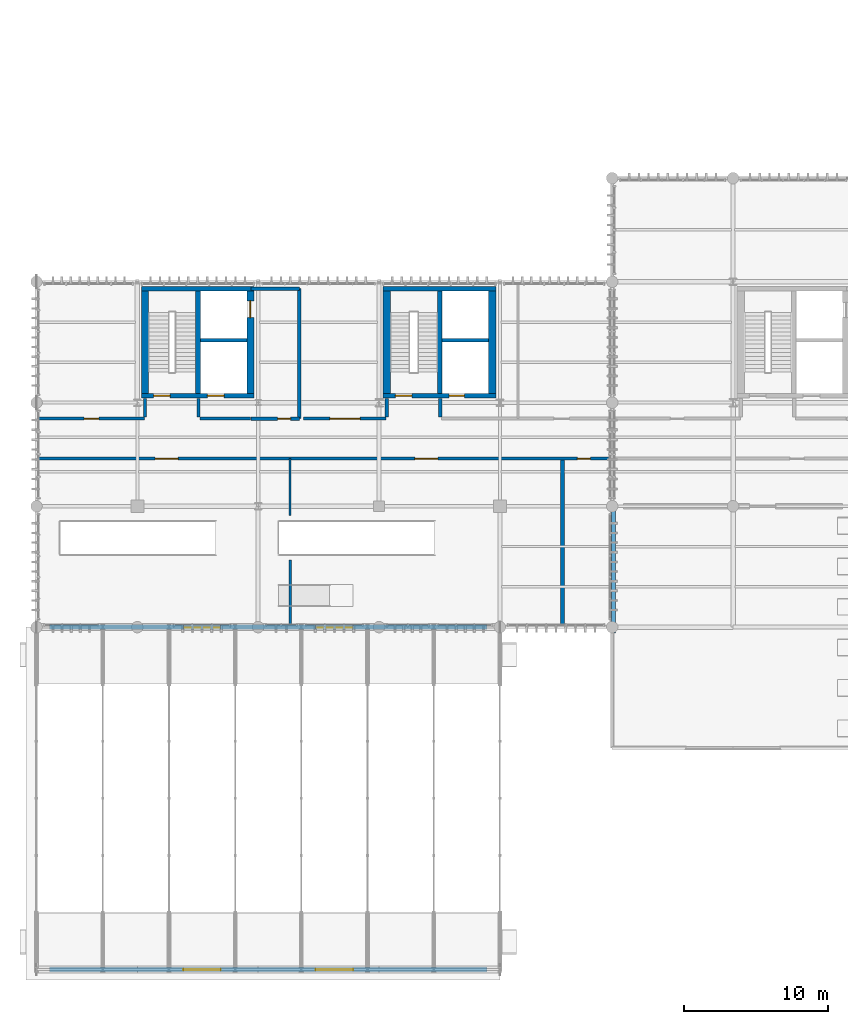
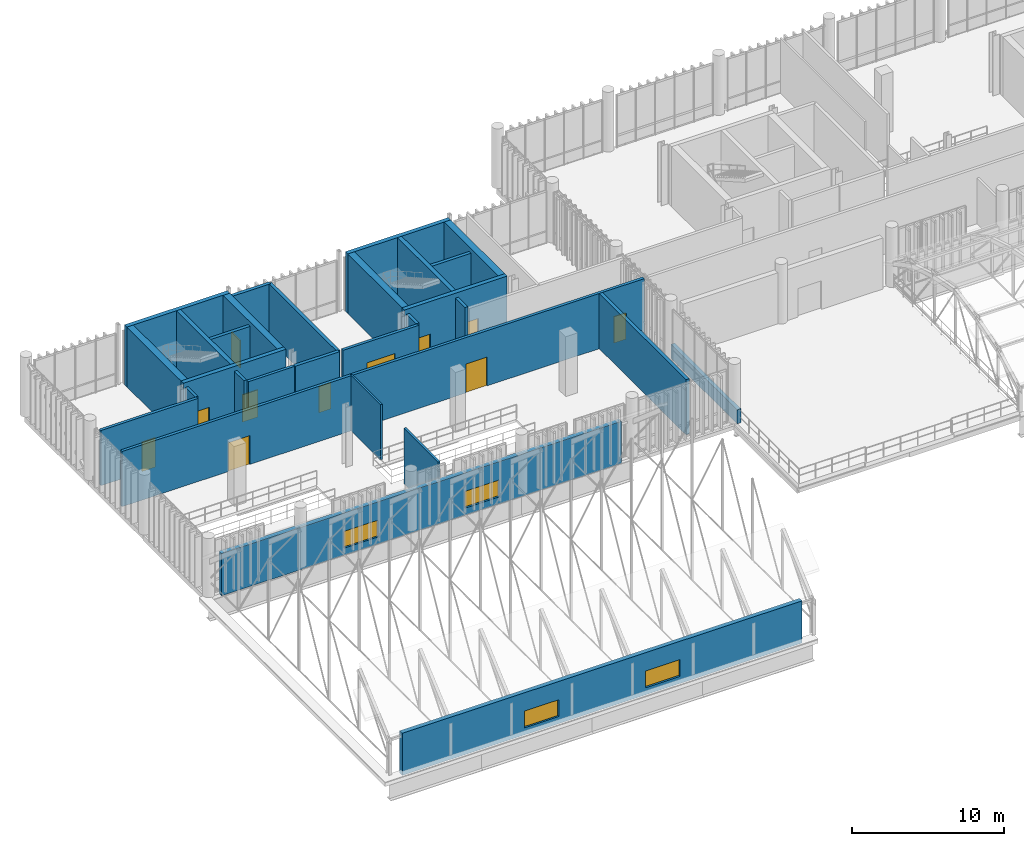
# One storey, part 91 of 109: 29 walls, 11 doors, 4 windows, 15 openings.
"""IFC4 building model written with IfcOpenShell, lengths in metres."""

import ifcopenshell
import ifcopenshell.guid

model = None  # the IFC model being written
_history = None  # IfcOwnerHistory: only IFC2X3 demands one
_inside = {}  # id of a spatial element -> (the spatial element, [elements in it])
_under = {}  # id of a project, library or spatial element -> (it, [spatial elements below it])
_declared = {}  # id of a project -> (the project, [libraries it declares])
_typed = {}  # id of a type object -> (the type object, [elements of that type])
_made_of = {}  # id of a material, layer set ... -> (it, [elements and type objects made of it])


def new_model(schema):
    """Start an empty IFC model of exactly this schema.

    Asked for "IFC4X3", IfcOpenShell would pick the latest addendum, in which some entities
    have other attributes; the version numbers below select the first issue.
    IFC2X3 requires an IfcOwnerHistory on every rooted entity: one is made here for all.
    """
    global model, _history
    if schema == "IFC4X3":
        model = ifcopenshell.file(schema_version=(4, 3, 0, 0))
    else:
        model = ifcopenshell.file(schema=schema)
    _inside.clear()
    _under.clear()
    _declared.clear()
    _typed.clear()
    _made_of.clear()
    _history = None
    if model.schema == "IFC2X3":
        org = make("IfcOrganization", Name="unknown")
        user = make(
            "IfcPersonAndOrganization",
            ThePerson=make("IfcPerson", FamilyName="unknown"),
            TheOrganization=org,
        )
        app = make(
            "IfcApplication",
            ApplicationDeveloper=org,
            Version="unknown",
            ApplicationFullName="unknown",
            ApplicationIdentifier="unknown",
        )
        _history = make(
            "IfcOwnerHistory",
            OwningUser=user,
            OwningApplication=app,
            ChangeAction="ADDED",
            CreationDate=0,
        )
    return model


def make(cls, **values):
    """One entity of the class cls with the attributes given. An attribute that is None is left unset."""
    return model.create_entity(
        cls, **{name: value for name, value in values.items() if value is not None}
    )


def rooted(cls, **values):
    """An entity with a GlobalId (a new one), such as an element, a storey or a relation."""
    return make(cls, GlobalId=ifcopenshell.guid.new(), OwnerHistory=_history, **values)


def si_unit(unit_type, name, prefix=None):
    """IfcSIUnit, for example si_unit("LENGTHUNIT", "METRE", prefix="MILLI")."""
    return make("IfcSIUnit", UnitType=unit_type, Prefix=prefix, Name=name)


def assignment(units):
    """IfcUnitAssignment: the units of a project."""
    return None if units is None else make("IfcUnitAssignment", Units=units)


def point(xyz):
    """IfcCartesianPoint."""
    return None if xyz is None else make("IfcCartesianPoint", Coordinates=xyz)


def direction(xyz):
    """IfcDirection."""
    return None if xyz is None else make("IfcDirection", DirectionRatios=xyz)


def frame(location, z_axis=None, x_axis=None):
    """IfcAxis2Placement3D, a coordinate frame: its origin and axes. An axis left out is left unset."""
    return make(
        "IfcAxis2Placement3D",
        Location=point(location),
        Axis=direction(z_axis),
        RefDirection=direction(x_axis),
    )


def frame_2d(location, x_axis=None):
    """IfcAxis2Placement2D, a coordinate frame in the plane: its origin and x axis."""
    return make(
        "IfcAxis2Placement2D", Location=point(location), RefDirection=direction(x_axis)
    )


def origin_with_axes():
    """The frame at (0, 0, 0) with the z axis (0, 0, 1) and the x axis (1, 0, 0) written out."""
    return frame((0.0, 0.0, 0.0), z_axis=(0.0, 0.0, 1.0), x_axis=(1.0, 0.0, 0.0))


def place(relative_to, where):
    """IfcLocalPlacement: puts the frame where relative to a parent placement (None: the world)."""
    return make(
        "IfcLocalPlacement", PlacementRelTo=relative_to, RelativePlacement=where
    )


def context(
    kind, dimensions, precision=None, world=None, true_north=None, identifier=None
):
    """IfcGeometricRepresentationContext, for example the 3D "Model" context."""
    return make(
        "IfcGeometricRepresentationContext",
        ContextIdentifier=identifier,
        ContextType=kind,
        CoordinateSpaceDimension=dimensions,
        Precision=precision,
        WorldCoordinateSystem=world,
        TrueNorth=true_north,
    )


def subcontext(parent, identifier, kind, view, scale=None):
    """IfcGeometricRepresentationSubContext, for example "Body" below "Model"."""
    return make(
        "IfcGeometricRepresentationSubContext",
        ContextIdentifier=identifier,
        ContextType=kind,
        ParentContext=parent,
        TargetScale=scale,
        TargetView=view,
    )


def project(units=None, contexts=None):
    """IfcProject with its units and contexts."""
    return rooted(
        "IfcProject",
        Name="project",
        RepresentationContexts=contexts,
        UnitsInContext=assignment(units),
    )


def spatial(cls, under=None, at=None, **own):
    """A site, building, storey or space (cls), placed at a placement, below another one or the project."""
    s = rooted(cls, ObjectPlacement=at, **own)
    if under is not None:
        _under.setdefault(under.id(), (under, []))[1].append(s)
    return s


def profile(cls, at=None, kind="AREA", **sizes):
    """A parametric profile (cls). Its sizes go by their IFC names, for example OverallWidth=200.0."""
    return make(cls, ProfileType=kind, Position=at, **sizes)


def rectangle(**sizes):
    """IfcRectangleProfileDef."""
    return profile("IfcRectangleProfileDef", **sizes)


def extrude(swept, where, along, depth):
    """IfcExtrudedAreaSolid: the profile swept, set in the frame where, extruded along a direction by depth."""
    return make(
        "IfcExtrudedAreaSolid",
        SweptArea=swept,
        Position=where,
        ExtrudedDirection=direction(along),
        Depth=depth,
    )


def shape(context_of_items, identifier, shape_type, items):
    """IfcShapeRepresentation: the items that make up one representation, for example the "Body"."""
    return make(
        "IfcShapeRepresentation",
        ContextOfItems=context_of_items,
        RepresentationIdentifier=identifier,
        RepresentationType=shape_type,
        Items=items,
    )


def material(Name=None, Category=None):
    """IfcMaterial."""
    return make("IfcMaterial", Name=Name, Category=Category)


def layer(
    of_material, thickness, ventilated=None, Name=None, Category=None, Priority=None
):
    """IfcMaterialLayer: one layer of a wall or slab, of a material (None: an air gap)."""
    return make(
        "IfcMaterialLayer",
        Material=of_material,
        LayerThickness=thickness,
        IsVentilated=ventilated,
        Name=Name,
        Category=Category,
        Priority=Priority,
    )


def layer_set(layers, Name=None):
    """IfcMaterialLayerSet."""
    return make("IfcMaterialLayerSet", MaterialLayers=layers, LayerSetName=Name)


def made_of(thing, what):
    """Note that an element or type object is made of a material, layer set ...; save() writes the relation."""
    if what is not None:
        _made_of.setdefault(what.id(), (what, []))[1].append(thing)
    return thing


def type_object(cls, material=None, **own):
    """A type object (cls), such as IfcWallType, which elements share."""
    return made_of(rooted(cls, **own), material)


def element(
    cls,
    number,
    at=None,
    inside=None,
    cuts=None,
    type_object=None,
    material=None,
    context=None,
    identifier="Body",
    shape_type=None,
    held_by="IfcProductDefinitionShape",
    body=None,
    shapes=None,
    **own,
):
    """One element of the class cls, such as IfcWall. Its Tag is "e" and its number.

    at: its placement. inside: the storey or other place that contains it. cuts: it is an
    opening in that element (IfcRelVoidsElement). A single representation is given by context,
    identifier, shape_type and body (its items); several are given by shapes. held_by: the class
    of the entity that holds the representations. save() writes the other relations.
    """
    e = rooted(cls, Tag="e%d" % number, ObjectPlacement=at, **own)
    if body is not None:
        shapes = [shape(context, identifier, shape_type, body)]
    if shapes is not None:
        e.Representation = make(held_by, Representations=shapes)
    if inside is not None:
        _inside.setdefault(inside.id(), (inside, []))[1].append(e)
    if cuts is not None:
        rooted(
            "IfcRelVoidsElement", RelatingBuildingElement=cuts, RelatedOpeningElement=e
        )
    if type_object is not None:
        _typed.setdefault(type_object.id(), (type_object, []))[1].append(e)
    return made_of(e, material)


def fill(opening, filler):
    """IfcRelFillsElement: the door or window that sits in an opening."""
    return rooted(
        "IfcRelFillsElement",
        RelatingOpeningElement=opening,
        RelatedBuildingElement=filler,
    )


def aggregate(whole, parts):
    """IfcRelAggregates: a whole, such as a stair, and the parts it consists of."""
    return rooted("IfcRelAggregates", RelatingObject=whole, RelatedObjects=parts)


def save(model, path):
    """Write the relations noted so far, then the file.

    IfcRelAggregates (storeys below a building ...), IfcRelContainedInSpatialStructure (elements
    in a storey), IfcRelDefinesByType, IfcRelAssociatesMaterial and IfcRelDeclares: one each for
    every whole, place, type object, material and project.
    """
    for whole, parts in _under.values():
        aggregate(whole, parts)
    for where, things in _inside.values():
        rooted(
            "IfcRelContainedInSpatialStructure",
            RelatedElements=things,
            RelatingStructure=where,
        )
    for kind, things in _typed.values():
        rooted("IfcRelDefinesByType", RelatedObjects=things, RelatingType=kind)
    for what, things in _made_of.values():
        rooted("IfcRelAssociatesMaterial", RelatedObjects=things, RelatingMaterial=what)
    for by, libraries in _declared.values():
        rooted("IfcRelDeclares", RelatingContext=by, RelatedDefinitions=libraries)
    model.write(path)


model = new_model("IFC4")

# Units and contexts
model_context = context("Model", 3, precision=1e-05, world=origin_with_axes(), true_north=direction((0.0, 1.0)))
body_context = subcontext(model_context, "Body", "Model", "MODEL_VIEW")
ifc_project = project(units=[si_unit("LENGTHUNIT", "METRE"), si_unit("AREAUNIT", "SQUARE_METRE"), si_unit("VOLUMEUNIT", "CUBIC_METRE"), si_unit("PLANEANGLEUNIT", "RADIAN"), si_unit("MASSUNIT", "GRAM", prefix="KILO"), si_unit("THERMODYNAMICTEMPERATUREUNIT", "KELVIN")], contexts=[model_context])

# Site, building, storey
site_placement = place(None, origin_with_axes())
site = spatial("IfcSite", under=ifc_project, at=site_placement, CompositionType="ELEMENT")
building_placement = place(site_placement, origin_with_axes())
building = spatial("IfcBuilding", under=site, at=building_placement, Name="Montbau Bow Law Courts", CompositionType="ELEMENT")
storey_placement = place(building_placement, frame((0.0, 0.0, 10.8), z_axis=(0.0, 0.0, 1.0), x_axis=(1.0, 0.0, 0.0)))
storey = spatial("IfcBuildingStorey", under=building, at=storey_placement, Name="L02", CompositionType="ELEMENT", Elevation=10.8)

# Wall, opening, door
ifc_material_1 = material(Name="Concrete CSA A23.1 f'c 45 MPa", Category="concrete")
ifc_layer_1 = layer(ifc_material_1, 0.5, Name="Shear Wall", Category="concrete")
ifc_layer_set_1 = layer_set([ifc_layer_1], Name="Concrete CSA A23.1 f'c 45 MPa")
wall_type_1 = type_object("IfcWallType", Name="W-COR-01", PredefinedType="SHEAR", material=ifc_layer_set_1)
wall_1_placement = place(None, frame((21.66, 46.84, 10.8), z_axis=(0.0, 0.0, 1.0), x_axis=(0.0, 1.0, 0.0)))
wall_1 = element("IfcWall", 1, at=wall_1_placement, inside=storey, type_object=wall_type_1, Name="WC-L02-0030:wal_0097", PredefinedType="SHEAR", context=body_context, shape_type="SweptSolid", body=[
    extrude(rectangle(XDim=7.119999999999997, YDim=0.5, at=frame_2d((3.56, 0.0), x_axis=(1.0, 0.0))), origin_with_axes(), (0.0, 0.0, 1.0), 4.8),
])
opening_1_placement = place(None, frame((21.66, 52.69, 10.8), z_axis=(0.0, 0.0, 1.0), x_axis=(0.0, 1.0, 0.0)))
opening_1 = element("IfcOpeningElement", 2, at=opening_1_placement, cuts=wall_1, Name="OP-LD-L02-EL-P2", PredefinedType="OPENING", context=body_context, shape_type="SweptSolid", body=[
    extrude(rectangle(XDim=1.16, YDim=2.2, at=frame_2d((0.0, 1.1), x_axis=(1.0, 0.0))), frame((0.0, 0.26, 0.0), z_axis=(0.0, -1.0, 0.0), x_axis=(1.0, 0.0, 0.0)), (0.0, 0.0, 1.0), 0.52),
])
ifc_material_2 = material(Name="Brushed Stainless Steel Elevator Landing Door", Category="steel")
door_type_1 = type_object("IfcDoorType", Name="LD-PUB-01", OperationType="NOTDEFINED", ParameterTakesPrecedence=False, PredefinedType="DOOR", material=ifc_material_2)
door_1_placement = place(None, frame((21.66, 52.69, 10.8), z_axis=(0.0, 0.0, 1.0), x_axis=(0.0, 1.0, 0.0)))
door_1 = element("IfcDoor", 3, at=door_1_placement, inside=storey, type_object=door_type_1, Name="LD-L02-EL-P2:dor_0051", OperationType="SLIDING_TO_LEFT", OverallHeight=2.2, OverallWidth=1.16, PredefinedType="DOOR", context=body_context, shape_type="SweptSolid", body=[
    extrude(rectangle(XDim=1.16, YDim=2.2, at=frame_2d((0.0, 1.1), x_axis=(1.0, 0.0))), frame((0.0, 0.04, 0.0), z_axis=(0.0, -1.0, 0.0), x_axis=(1.0, 0.0, 0.0)), (0.0, 0.0, 1.0), 0.08),
])
fill(opening_1, door_1)

# Walls
for number, where, z_axis, x_axis, name in (
    (4, (14.34, 53.96, 10.8), (0.0, 0.0, 1.0), (0.0, -1.0, 0.0), "WC-L02-0031:wal_0098"),
    (5, (38.46, 46.84, 10.8), (0.0, 0.0, 1.0), (0.0, 1.0, 0.0), "WC-L02-0102:wal_0169"),
    (6, (31.14, 53.96, 10.8), (0.0, 0.0, 1.0), (0.0, -1.0, 0.0), "WC-L02-0103:wal_0170"),
):
    element("IfcWall", number, at=place(None, frame(where, z_axis=z_axis, x_axis=x_axis)), inside=storey, type_object=wall_type_1, Name=name, PredefinedType="SHEAR", context=body_context, shape_type="SweptSolid", body=[
        extrude(rectangle(XDim=7.119999999999997, YDim=0.5, at=frame_2d((3.56, 0.0), x_axis=(1.0, 0.0))), origin_with_axes(), (0.0, 0.0, 1.0), 4.8),
    ])

# Wall, openings, doors
ifc_layer_2 = layer(ifc_material_1, 0.32, Name="Shear Wall", Category="concrete")
ifc_layer_set_2 = layer_set([ifc_layer_2], Name="Concrete CSA A23.1 f'c 45 MPa")
wall_type_2 = type_object("IfcWallType", Name="W-COR-05", PredefinedType="SHEAR", material=ifc_layer_set_2)
wall_2_placement = place(None, frame((14.09, 46.68, 10.8), z_axis=(0.0, 0.0, 1.0), x_axis=(1.0, 0.0, 0.0)))
wall_2 = element("IfcWall", 7, at=wall_2_placement, inside=storey, type_object=wall_type_2, Name="WC-L02-0028:wal_0095", PredefinedType="SHEAR", context=body_context, shape_type="SweptSolid", body=[
    extrude(rectangle(XDim=7.82, YDim=0.32, at=frame_2d((3.91, 0.0), x_axis=(1.0, 0.0))), origin_with_axes(), (0.0, 0.0, 1.0), 4.8),
])
opening_2_placement = place(None, frame((15.51, 46.68, 10.8), z_axis=(0.0, 0.0, 1.0), x_axis=(1.0, 0.0, 0.0)))
opening_2 = element("IfcOpeningElement", 8, at=opening_2_placement, cuts=wall_2, Name="OP-D-L02-ST-P1", PredefinedType="OPENING", context=body_context, shape_type="SweptSolid", body=[
    extrude(rectangle(XDim=1.14, YDim=2.18, at=frame_2d((0.0, 1.09), x_axis=(1.0, 0.0))), frame((0.0, 0.17, 0.0), z_axis=(0.0, -1.0, 0.0), x_axis=(1.0, 0.0, 0.0)), (0.0, 0.0, 1.0), 0.34),
])
opening_3_placement = place(None, frame((19.25, 46.68, 10.8), z_axis=(0.0, 0.0, 1.0), x_axis=(1.0, 0.0, 0.0)))
opening_3 = element("IfcOpeningElement", 9, at=opening_3_placement, cuts=wall_2, Name="OP-LD-L02-EL-P1", PredefinedType="OPENING", context=body_context, shape_type="SweptSolid", body=[
    extrude(rectangle(XDim=1.16, YDim=2.2, at=frame_2d((0.0, 1.1), x_axis=(1.0, 0.0))), frame((0.0, 0.17, 0.0), z_axis=(0.0, -1.0, 0.0), x_axis=(1.0, 0.0, 0.0)), (0.0, 0.0, 1.0), 0.34),
])
ifc_material_3 = material(Name="1.5 h Fire-Rated Hollow-Metal Exit Stair Door", Category="steel")
door_type_2 = type_object("IfcDoorType", Name="D-ST-01", OperationType="NOTDEFINED", ParameterTakesPrecedence=False, PredefinedType="DOOR", material=ifc_material_3)
door_2_placement = place(None, frame((15.51, 46.68, 10.8), z_axis=(0.0, 0.0, 1.0), x_axis=(-1.0, 0.0, 0.0)))
door_2 = element("IfcDoor", 10, at=door_2_placement, inside=storey, type_object=door_type_2, Name="D-L02-ST-P1:dor_0049", OperationType="SINGLE_SWING_RIGHT", OverallHeight=2.18, OverallWidth=1.14, PredefinedType="DOOR", context=body_context, shape_type="SweptSolid", body=[
    extrude(rectangle(XDim=1.14, YDim=2.18, at=frame_2d((0.0, 1.09), x_axis=(1.0, 0.0))), frame((0.0, 0.04, 0.0), z_axis=(0.0, -1.0, 0.0), x_axis=(1.0, 0.0, 0.0)), (0.0, 0.0, 1.0), 0.08),
])
fill(opening_2, door_2)
door_3_placement = place(None, frame((19.25, 46.68, 10.8), z_axis=(0.0, 0.0, 1.0), x_axis=(-1.0, 0.0, 0.0)))
door_3 = element("IfcDoor", 11, at=door_3_placement, inside=storey, type_object=door_type_1, Name="LD-L02-EL-P1:dor_0050", OperationType="SLIDING_TO_LEFT", OverallHeight=2.2, OverallWidth=1.16, PredefinedType="DOOR", context=body_context, shape_type="SweptSolid", body=[
    extrude(rectangle(XDim=1.16, YDim=2.2, at=frame_2d((0.0, 1.1), x_axis=(1.0, 0.0))), frame((0.0, 0.04, 0.0), z_axis=(0.0, -1.0, 0.0), x_axis=(1.0, 0.0, 0.0)), (0.0, 0.0, 1.0), 0.08),
])
fill(opening_3, door_3)

# Walls
wall_3_placement = place(None, frame((21.91, 54.12, 10.8), z_axis=(0.0, 0.0, 1.0), x_axis=(-1.0, 0.0, 0.0)))
element("IfcWall", 12, at=wall_3_placement, inside=storey, type_object=wall_type_2, Name="WC-L02-0029:wal_0096", PredefinedType="SHEAR", context=body_context, shape_type="SweptSolid", body=[
    extrude(rectangle(XDim=7.82, YDim=0.32, at=frame_2d((3.91, 0.0), x_axis=(1.0, 0.0))), origin_with_axes(), (0.0, 0.0, 1.0), 4.8),
])
wall_4_placement = place(None, frame((18.02, 46.84, 10.8), z_axis=(0.0, 0.0, 1.0), x_axis=(0.0, 1.0, 0.0)))
element("IfcWall", 13, at=wall_4_placement, inside=storey, type_object=wall_type_2, Name="WS-L02-0032:wal_0099", PredefinedType="SHEAR", context=body_context, shape_type="SweptSolid", body=[
    extrude(rectangle(XDim=7.119999999999997, YDim=0.32, at=frame_2d((3.56, 0.0), x_axis=(1.0, 0.0))), origin_with_axes(), (0.0, 0.0, 1.0), 4.8),
])

# Wall, openings, doors
wall_5_placement = place(None, frame((30.89, 46.68, 10.8), z_axis=(0.0, 0.0, 1.0), x_axis=(1.0, 0.0, 0.0)))
wall_5 = element("IfcWall", 14, at=wall_5_placement, inside=storey, type_object=wall_type_2, Name="WC-L02-0100:wal_0167", PredefinedType="SHEAR", context=body_context, shape_type="SweptSolid", body=[
    extrude(rectangle(XDim=7.82, YDim=0.32, at=frame_2d((3.91, 0.0), x_axis=(1.0, 0.0))), origin_with_axes(), (0.0, 0.0, 1.0), 4.8),
])
opening_4_placement = place(None, frame((32.31, 46.68, 10.8), z_axis=(0.0, 0.0, 1.0), x_axis=(1.0, 0.0, 0.0)))
opening_4 = element("IfcOpeningElement", 15, at=opening_4_placement, cuts=wall_5, Name="OP-D-L02-ST-J1", PredefinedType="OPENING", context=body_context, shape_type="SweptSolid", body=[
    extrude(rectangle(XDim=1.14, YDim=2.18, at=frame_2d((0.0, 1.09), x_axis=(1.0, 0.0))), frame((0.0, 0.17, 0.0), z_axis=(0.0, -1.0, 0.0), x_axis=(1.0, 0.0, 0.0)), (0.0, 0.0, 1.0), 0.34),
])
opening_5_placement = place(None, frame((36.0, 46.68, 10.8), z_axis=(0.0, 0.0, 1.0), x_axis=(1.0, 0.0, 0.0)))
opening_5 = element("IfcOpeningElement", 16, at=opening_5_placement, cuts=wall_5, Name="OP-LD-L02-EL-J1", PredefinedType="OPENING", context=body_context, shape_type="SweptSolid", body=[
    extrude(rectangle(XDim=1.06, YDim=2.16, at=frame_2d((0.0, 1.08), x_axis=(1.0, 0.0))), frame((0.0, 0.17, 0.0), z_axis=(0.0, -1.0, 0.0), x_axis=(1.0, 0.0, 0.0)), (0.0, 0.0, 1.0), 0.34),
])
door_4_placement = place(None, frame((32.31, 46.68, 10.8), z_axis=(0.0, 0.0, 1.0), x_axis=(-1.0, 0.0, 0.0)))
door_4 = element("IfcDoor", 17, at=door_4_placement, inside=storey, type_object=door_type_2, Name="D-L02-ST-J1:dor_0079", OperationType="SINGLE_SWING_RIGHT", OverallHeight=2.18, OverallWidth=1.14, PredefinedType="DOOR", context=body_context, shape_type="SweptSolid", body=[
    extrude(rectangle(XDim=1.14, YDim=2.18, at=frame_2d((0.0, 1.09), x_axis=(1.0, 0.0))), frame((0.0, 0.04, 0.0), z_axis=(0.0, -1.0, 0.0), x_axis=(1.0, 0.0, 0.0)), (0.0, 0.0, 1.0), 0.08),
])
fill(opening_4, door_4)
ifc_material_4 = material(Name="Bronze-Clad Judicial Elevator Landing Door", Category="steel")
door_type_3 = type_object("IfcDoorType", Name="LD-JUD-01", OperationType="NOTDEFINED", ParameterTakesPrecedence=False, PredefinedType="DOOR", material=ifc_material_4)
door_5_placement = place(None, frame((36.0, 46.68, 10.8), z_axis=(0.0, 0.0, 1.0), x_axis=(-1.0, 0.0, 0.0)))
door_5 = element("IfcDoor", 18, at=door_5_placement, inside=storey, type_object=door_type_3, Name="LD-L02-EL-J1:dor_0080", OperationType="SLIDING_TO_LEFT", OverallHeight=2.16, OverallWidth=1.06, PredefinedType="DOOR", context=body_context, shape_type="SweptSolid", body=[
    extrude(rectangle(XDim=1.06, YDim=2.16, at=frame_2d((0.0, 1.08), x_axis=(1.0, 0.0))), frame((0.0, 0.04, 0.0), z_axis=(0.0, -1.0, 0.0), x_axis=(1.0, 0.0, 0.0)), (0.0, 0.0, 1.0), 0.08),
])
fill(opening_5, door_5)

# Walls
wall_6_placement = place(None, frame((38.71, 54.12, 10.8), z_axis=(0.0, 0.0, 1.0), x_axis=(-1.0, 0.0, 0.0)))
element("IfcWall", 19, at=wall_6_placement, inside=storey, type_object=wall_type_2, Name="WC-L02-0101:wal_0168", PredefinedType="SHEAR", context=body_context, shape_type="SweptSolid", body=[
    extrude(rectangle(XDim=7.82, YDim=0.32, at=frame_2d((3.91, 0.0), x_axis=(1.0, 0.0))), origin_with_axes(), (0.0, 0.0, 1.0), 4.8),
])
wall_7_placement = place(None, frame((34.82, 46.84, 10.8), z_axis=(0.0, 0.0, 1.0), x_axis=(0.0, 1.0, 0.0)))
element("IfcWall", 20, at=wall_7_placement, inside=storey, type_object=wall_type_2, Name="WS-L02-0104:wal_0171", PredefinedType="SHEAR", context=body_context, shape_type="SweptSolid", body=[
    extrude(rectangle(XDim=7.119999999999997, YDim=0.32, at=frame_2d((3.56, 0.0), x_axis=(1.0, 0.0))), origin_with_axes(), (0.0, 0.0, 1.0), 4.8),
])

# Wall, openings, windows
ifc_material_5 = material(Name="Insulated Clerestory Curb Wall Assembly", Category="masonry")
ifc_layer_3 = layer(ifc_material_5, 0.34, Name="Solid Wall", Category="masonry")
ifc_layer_set_3 = layer_set([ifc_layer_3], Name="Insulated Clerestory Curb Wall Assembly")
wall_type_3 = type_object("IfcWallType", Name="W-EXT-06", PredefinedType="SOLIDWALL", material=ifc_layer_set_3)
wall_8_placement = place(None, frame((7.7, 6.8, 10.51), z_axis=(0.0, 0.0, 1.0), x_axis=(1.0, 0.0, 0.0)))
wall_8 = element("IfcWall", 21, at=wall_8_placement, inside=storey, type_object=wall_type_3, Name="WC-VLT-V1-S:wal_0057", PredefinedType="SOLIDWALL", context=body_context, shape_type="SweptSolid", body=[
    extrude(rectangle(XDim=30.400000000000002, YDim=0.34, at=frame_2d((15.2, 0.0), x_axis=(1.0, 0.0))), origin_with_axes(), (0.0, 0.0, 1.0), 3.39),
])
opening_6_placement = place(None, frame((18.3, 6.8, 11.08), z_axis=(0.0, 0.0, 1.0), x_axis=(1.0, 0.0, 0.0)))
opening_6 = element("IfcOpeningElement", 22, at=opening_6_placement, cuts=wall_8, Name="OP-SK-V1-01", PredefinedType="OPENING", context=body_context, shape_type="SweptSolid", body=[
    extrude(rectangle(XDim=2.6, YDim=1.35, at=frame_2d((0.0, 0.675), x_axis=(1.0, 0.0))), frame((0.0, 0.18, 0.0), z_axis=(0.0, -1.0, 0.0), x_axis=(1.0, 0.0, 0.0)), (0.0, 0.0, 1.0), 0.36),
])
opening_7_placement = place(None, frame((27.5, 6.8, 11.08), z_axis=(0.0, 0.0, 1.0), x_axis=(1.0, 0.0, 0.0)))
opening_7 = element("IfcOpeningElement", 23, at=opening_7_placement, cuts=wall_8, Name="OP-SK-V1-02", PredefinedType="OPENING", context=body_context, shape_type="SweptSolid", body=[
    extrude(rectangle(XDim=2.6, YDim=1.35, at=frame_2d((0.0, 0.675), x_axis=(1.0, 0.0))), frame((0.0, 0.18, 0.0), z_axis=(0.0, -1.0, 0.0), x_axis=(1.0, 0.0, 0.0)), (0.0, 0.0, 1.0), 0.36),
])
ifc_material_6 = material(Name="Triple-Glazed Barrel-Vault Clerestory Monitor Skylight", Category="glass")
window_type = type_object("IfcWindowType", Name="SK-VLT-01", ParameterTakesPrecedence=False, PartitioningType="SINGLE_PANEL", PredefinedType="SKYLIGHT", material=ifc_material_6)
window_1_placement = place(None, frame((18.3, 6.8, 11.08), z_axis=(0.0, 0.0, 1.0), x_axis=(1.0, 0.0, 0.0)))
window_1 = element("IfcWindow", 24, at=window_1_placement, inside=storey, type_object=window_type, Name="SK-V1-01:win_0107", OverallHeight=1.35, OverallWidth=2.6, PartitioningType="SINGLE_PANEL", PredefinedType="SKYLIGHT", context=body_context, shape_type="SweptSolid", body=[
    extrude(rectangle(XDim=2.6, YDim=1.35, at=frame_2d((0.0, 0.675), x_axis=(1.0, 0.0))), frame((0.0, 0.03, 0.0), z_axis=(0.0, -1.0, 0.0), x_axis=(1.0, 0.0, 0.0)), (0.0, 0.0, 1.0), 0.06),
])
fill(opening_6, window_1)
window_2_placement = place(None, frame((27.5, 6.8, 11.08), z_axis=(0.0, 0.0, 1.0), x_axis=(1.0, 0.0, 0.0)))
window_2 = element("IfcWindow", 25, at=window_2_placement, inside=storey, type_object=window_type, Name="SK-V1-02:win_0108", OverallHeight=1.35, OverallWidth=2.6, PartitioningType="SINGLE_PANEL", PredefinedType="SKYLIGHT", context=body_context, shape_type="SweptSolid", body=[
    extrude(rectangle(XDim=2.6, YDim=1.35, at=frame_2d((0.0, 0.675), x_axis=(1.0, 0.0))), frame((0.0, 0.03, 0.0), z_axis=(0.0, -1.0, 0.0), x_axis=(1.0, 0.0, 0.0)), (0.0, 0.0, 1.0), 0.06),
])
fill(opening_7, window_2)

wall_9_placement = place(None, frame((7.7, 30.6, 10.51), z_axis=(0.0, 0.0, 1.0), x_axis=(1.0, 0.0, 0.0)))
wall_9 = element("IfcWall", 26, at=wall_9_placement, inside=storey, type_object=wall_type_3, Name="WC-VLT-V1-N:wal_0058", PredefinedType="SOLIDWALL", context=body_context, shape_type="SweptSolid", body=[
    extrude(rectangle(XDim=30.400000000000002, YDim=0.34, at=frame_2d((15.2, 0.0), x_axis=(1.0, 0.0))), origin_with_axes(), (0.0, 0.0, 1.0), 3.39),
])
opening_8_placement = place(None, frame((18.3, 30.6, 11.08), z_axis=(0.0, 0.0, 1.0), x_axis=(1.0, 0.0, 0.0)))
opening_8 = element("IfcOpeningElement", 27, at=opening_8_placement, cuts=wall_9, Name="OP-SK-V1-03", PredefinedType="OPENING", context=body_context, shape_type="SweptSolid", body=[
    extrude(rectangle(XDim=2.6, YDim=1.35, at=frame_2d((0.0, 0.675), x_axis=(1.0, 0.0))), frame((0.0, 0.18, 0.0), z_axis=(0.0, -1.0, 0.0), x_axis=(1.0, 0.0, 0.0)), (0.0, 0.0, 1.0), 0.36),
])
opening_9_placement = place(None, frame((27.5, 30.6, 11.08), z_axis=(0.0, 0.0, 1.0), x_axis=(1.0, 0.0, 0.0)))
opening_9 = element("IfcOpeningElement", 28, at=opening_9_placement, cuts=wall_9, Name="OP-SK-V1-04", PredefinedType="OPENING", context=body_context, shape_type="SweptSolid", body=[
    extrude(rectangle(XDim=2.6, YDim=1.35, at=frame_2d((0.0, 0.675), x_axis=(1.0, 0.0))), frame((0.0, 0.18, 0.0), z_axis=(0.0, -1.0, 0.0), x_axis=(1.0, 0.0, 0.0)), (0.0, 0.0, 1.0), 0.36),
])
window_3_placement = place(None, frame((18.3, 30.6, 11.08), z_axis=(0.0, 0.0, 1.0), x_axis=(1.0, 0.0, 0.0)))
window_3 = element("IfcWindow", 29, at=window_3_placement, inside=storey, type_object=window_type, Name="SK-V1-03:win_0109", OverallHeight=1.35, OverallWidth=2.6, PartitioningType="SINGLE_PANEL", PredefinedType="SKYLIGHT", context=body_context, shape_type="SweptSolid", body=[
    extrude(rectangle(XDim=2.6, YDim=1.35, at=frame_2d((0.0, 0.675), x_axis=(1.0, 0.0))), frame((0.0, 0.03, 0.0), z_axis=(0.0, -1.0, 0.0), x_axis=(1.0, 0.0, 0.0)), (0.0, 0.0, 1.0), 0.06),
])
fill(opening_8, window_3)
window_4_placement = place(None, frame((27.5, 30.6, 11.08), z_axis=(0.0, 0.0, 1.0), x_axis=(1.0, 0.0, 0.0)))
window_4 = element("IfcWindow", 30, at=window_4_placement, inside=storey, type_object=window_type, Name="SK-V1-04:win_0110", OverallHeight=1.35, OverallWidth=2.6, PartitioningType="SINGLE_PANEL", PredefinedType="SKYLIGHT", context=body_context, shape_type="SweptSolid", body=[
    extrude(rectangle(XDim=2.6, YDim=1.35, at=frame_2d((0.0, 0.675), x_axis=(1.0, 0.0))), frame((0.0, 0.03, 0.0), z_axis=(0.0, -1.0, 0.0), x_axis=(1.0, 0.0, 0.0)), (0.0, 0.0, 1.0), 0.06),
])
fill(opening_9, window_4)

# Walls
ifc_material_7 = material(Name="Insulated Terracotta-Coping Terrace Parapet Assembly", Category="masonry")
ifc_layer_4 = layer(ifc_material_7, 0.28, Name="Parapet", Category="masonry")
ifc_layer_set_4 = layer_set([ifc_layer_4], Name="Insulated Terracotta-Coping Terrace Parapet Assembly")
wall_type_4 = type_object("IfcWallType", Name="W-PAR-02", PredefinedType="PARAPET", material=ifc_layer_set_4)
wall_10_placement = place(None, frame((46.9, 30.193, 10.8), z_axis=(0.0, 0.0, 1.0), x_axis=(0.0, 1.0, 0.0)))
element("IfcWall", 31, at=wall_10_placement, inside=storey, type_object=wall_type_4, Name="PAR-TER-L02-W-1:par_0001", PredefinedType="PARAPET", context=body_context, shape_type="SweptSolid", body=[
    extrude(rectangle(XDim=8.703, YDim=0.28, at=frame_2d((4.3515, 0.0), x_axis=(1.0, 0.0))), origin_with_axes(), (0.0, 0.0, 1.0), 1.12),
])
ifc_material_8 = material(Name="Double-Stud Acoustic Plumbing Chase Gypsum Assembly", Category="gypsum")
ifc_layer_5 = layer(ifc_material_8, 0.26, Name="Plumbing Wall", Category="gypsum")
ifc_layer_set_5 = layer_set([ifc_layer_5], Name="Double-Stud Acoustic Plumbing Chase Gypsum Assembly")
wall_type_5 = type_object("IfcWallType", Name="W-PLM-01", PredefinedType="PLUMBINGWALL", material=ifc_layer_set_5)
wall_11_placement = place(None, frame((43.34, 30.78, 10.8), z_axis=(0.0, 0.0, 1.0), x_axis=(0.0, 1.0, 0.0)))
element("IfcWall", 32, at=wall_11_placement, inside=storey, type_object=wall_type_5, Name="WD-L02-0737:wal_0804", PredefinedType="PLUMBINGWALL", context=body_context, shape_type="SweptSolid", body=[
    extrude(rectangle(XDim=11.43, YDim=0.26, at=frame_2d((5.715, 0.0), x_axis=(1.0, 0.0))), origin_with_axes(), (0.0, 0.0, 1.0), 4.44),
])
ifc_material_9 = material(Name="2 h Shaft and Exit-Passage Fire Separation Partition", Category="gypsum")
ifc_layer_6 = layer(ifc_material_9, 0.25, Name="Partition", Category="gypsum")
ifc_layer_set_6 = layer_set([ifc_layer_6], Name="2 h Shaft and Exit-Passage Fire Separation Partition")
wall_type_6 = type_object("IfcWallType", Name="W-PRT-01", PredefinedType="PARTITIONING", material=ifc_layer_set_6)
wall_12_placement = place(None, frame((18.18, 50.549, 10.8), z_axis=(0.0, 0.0, 1.0), x_axis=(1.0, 0.0, 0.0)))
element("IfcWall", 33, at=wall_12_placement, inside=storey, type_object=wall_type_6, Name="WS-L02-0033:wal_0100", PredefinedType="PARTITIONING", context=body_context, shape_type="SweptSolid", body=[
    extrude(rectangle(XDim=3.2300000000000004, YDim=0.25, at=frame_2d((1.615, 0.0), x_axis=(1.0, 0.0))), origin_with_axes(), (0.0, 0.0, 1.0), 4.44),
])
wall_13_placement = place(None, frame((25.06, 45.09, 10.8), z_axis=(0.0, 0.0, 1.0), x_axis=(0.0, 1.0, 0.0)))
element("IfcWall", 34, at=wall_13_placement, inside=storey, type_object=wall_type_6, Name="WEL-L02-0034:wal_0101", PredefinedType="PARTITIONING", context=body_context, shape_type="SweptSolid", body=[
    extrude(rectangle(XDim=9.029999999999994, YDim=0.25, at=frame_2d((4.515, 0.0), x_axis=(1.0, 0.0))), origin_with_axes(), (0.0, 0.0, 1.0), 4.44),
])
wall_14_placement = place(None, frame((21.7, 54.12, 10.8), z_axis=(0.0, 0.0, 1.0), x_axis=(1.0, 0.0, 0.0)))
element("IfcWall", 35, at=wall_14_placement, inside=storey, type_object=wall_type_6, Name="WEL-L02-0035:wal_0102", PredefinedType="PARTITIONING", context=body_context, shape_type="SweptSolid", body=[
    extrude(rectangle(XDim=3.3599999999999994, YDim=0.25, at=frame_2d((1.68, 0.0), x_axis=(1.0, 0.0))), origin_with_axes(), (0.0, 0.0, 1.0), 4.44),
])

# Wall, opening, door
wall_15_placement = place(None, frame((21.7, 45.09, 10.8), z_axis=(0.0, 0.0, 1.0), x_axis=(1.0, 0.0, 0.0)))
wall_15 = element("IfcWall", 36, at=wall_15_placement, inside=storey, type_object=wall_type_6, Name="WEL-L02-0036:wal_0103", PredefinedType="PARTITIONING", context=body_context, shape_type="SweptSolid", body=[
    extrude(rectangle(XDim=3.3599999999999994, YDim=0.25, at=frame_2d((1.68, 0.0), x_axis=(1.0, 0.0))), origin_with_axes(), (0.0, 0.0, 1.0), 4.44),
])
opening_10_placement = place(None, frame((24.005, 45.09, 10.8), z_axis=(0.0, 0.0, 1.0), x_axis=(1.0, 0.0, 0.0)))
opening_10 = element("IfcOpeningElement", 37, at=opening_10_placement, cuts=wall_15, Name="OP-D-L02-ELB-CORE-W1", PredefinedType="OPENING", context=body_context, shape_type="SweptSolid", body=[
    extrude(rectangle(XDim=0.91, YDim=2.12, at=frame_2d((0.0, 1.06), x_axis=(1.0, 0.0))), frame((0.0, 0.135, 0.0), z_axis=(0.0, -1.0, 0.0), x_axis=(1.0, 0.0, 0.0)), (0.0, 0.0, 1.0), 0.27),
])
ifc_material_10 = material(Name="Public and Judicial Washroom Solid-Core Door", Category="wood")
door_type_4 = type_object("IfcDoorType", Name="D-WC-02", OperationType="NOTDEFINED", ParameterTakesPrecedence=False, PredefinedType="DOOR", material=ifc_material_10)
door_6_placement = place(None, frame((24.005, 45.09, 10.8), z_axis=(0.0, 0.0, 1.0), x_axis=(1.0, 0.0, 0.0)))
door_6 = element("IfcDoor", 38, at=door_6_placement, inside=storey, type_object=door_type_4, Name="D-L02-ELB-CORE-W1:dor_0052", OperationType="SINGLE_SWING_LEFT", OverallHeight=2.12, OverallWidth=0.91, PredefinedType="DOOR", context=body_context, shape_type="SweptSolid", body=[
    extrude(rectangle(XDim=0.91, YDim=2.12, at=frame_2d((0.0, 1.06), x_axis=(1.0, 0.0))), frame((0.0, 0.04, 0.0), z_axis=(0.0, -1.0, 0.0), x_axis=(1.0, 0.0, 0.0)), (0.0, 0.0, 1.0), 0.08),
])
fill(opening_10, door_6)

# Walls
wall_16_placement = place(None, frame((34.98, 50.549, 10.8), z_axis=(0.0, 0.0, 1.0), x_axis=(1.0, 0.0, 0.0)))
element("IfcWall", 39, at=wall_16_placement, inside=storey, type_object=wall_type_6, Name="WS-L02-0105:wal_0172", PredefinedType="PARTITIONING", context=body_context, shape_type="SweptSolid", body=[
    extrude(rectangle(XDim=3.230000000000004, YDim=0.25, at=frame_2d((1.615, 0.0), x_axis=(1.0, 0.0))), origin_with_axes(), (0.0, 0.0, 1.0), 4.44),
])
ifc_material_11 = material(Name="STC-60 High-Acoustic Courtroom Perimeter Partition", Category="gypsum")
ifc_layer_7 = layer(ifc_material_11, 0.22, Name="Partition", Category="gypsum")
ifc_layer_set_7 = layer_set([ifc_layer_7], Name="STC-60 High-Acoustic Courtroom Perimeter Partition")
wall_type_7 = type_object("IfcWallType", Name="W-PRT-02", PredefinedType="PARTITIONING", material=ifc_layer_set_7)
for number, where, z_axis, x_axis, name in (
    (40, (14.34, 45.22, 10.8), (0.0, 0.0, 1.0), (0.0, 1.0, 0.0), "WCX-L02-0728:wal_0795"),
    (41, (18.05, 45.22, 10.8), (0.0, 0.0, 1.0), (0.0, 1.0, 0.0), "WCX-L02-0729:wal_0796"),
    (42, (31.14, 45.22, 10.8), (0.0, 0.0, 1.0), (0.0, 1.0, 0.0), "WCX-L02-0730:wal_0797"),
    (43, (34.85, 45.22, 10.8), (0.0, 0.0, 1.0), (0.0, 1.0, 0.0), "WCX-L02-0731:wal_0798"),
):
    element("IfcWall", number, at=place(None, frame(where, z_axis=z_axis, x_axis=x_axis)), inside=storey, type_object=wall_type_7, Name=name, PredefinedType="PARTITIONING", context=body_context, shape_type="SweptSolid", body=[
        extrude(rectangle(XDim=1.259999999999998, YDim=0.22, at=frame_2d((0.63, 0.0), x_axis=(1.0, 0.0))), origin_with_axes(), (0.0, 0.0, 1.0), 4.44),
    ])

# Wall, opening, door
wall_17_placement = place(None, frame((6.94, 45.09, 10.8), z_axis=(0.0, 0.0, 1.0), x_axis=(1.0, 0.0, 0.0)))
wall_17 = element("IfcWall", 44, at=wall_17_placement, inside=storey, type_object=wall_type_7, Name="WP-L02-0732:wal_0799", PredefinedType="PARTITIONING", context=body_context, shape_type="SweptSolid", body=[
    extrude(rectangle(XDim=7.36, YDim=0.22, at=frame_2d((3.68, 0.0), x_axis=(1.0, 0.0))), origin_with_axes(), (0.0, 0.0, 1.0), 4.44),
])
opening_11_placement = place(None, frame((10.62, 45.09, 10.8), z_axis=(0.0, 0.0, 1.0), x_axis=(1.0, 0.0, 0.0)))
opening_11 = element("IfcOpeningElement", 45, at=opening_11_placement, cuts=wall_17, Name="OP-D-L02-299", PredefinedType="OPENING", context=body_context, shape_type="SweptSolid", body=[
    extrude(rectangle(XDim=1.02, YDim=2.36, at=frame_2d((0.0, 1.18), x_axis=(1.0, 0.0))), frame((0.0, 0.12, 0.0), z_axis=(0.0, -1.0, 0.0), x_axis=(1.0, 0.0, 0.0)), (0.0, 0.0, 1.0), 0.24),
])
ifc_material_12 = material(Name="Judge Bench Private Entry Acoustic Oak Door", Category="wood")
door_type_5 = type_object("IfcDoorType", Name="D-CRT-05", OperationType="NOTDEFINED", ParameterTakesPrecedence=False, PredefinedType="DOOR", material=ifc_material_12)
door_7_placement = place(None, frame((10.62, 45.09, 10.8), z_axis=(0.0, 0.0, 1.0), x_axis=(-1.0, 0.0, 0.0)))
door_7 = element("IfcDoor", 46, at=door_7_placement, inside=storey, type_object=door_type_5, Name="D-L02-299:dor_0334", OperationType="SINGLE_SWING_LEFT", OverallHeight=2.36, OverallWidth=1.02, PredefinedType="DOOR", context=body_context, shape_type="SweptSolid", body=[
    extrude(rectangle(XDim=1.02, YDim=2.36, at=frame_2d((0.0, 1.18), x_axis=(1.0, 0.0))), frame((0.0, 0.04, 0.0), z_axis=(0.0, -1.0, 0.0), x_axis=(1.0, 0.0, 0.0)), (0.0, 0.0, 1.0), 0.08),
])
fill(opening_11, door_7)

# Wall
wall_18_placement = place(None, frame((18.15, 45.09, 10.8), z_axis=(0.0, 0.0, 1.0), x_axis=(1.0, 0.0, 0.0)))
element("IfcWall", 47, at=wall_18_placement, inside=storey, type_object=wall_type_7, Name="WP-L02-0733:wal_0800", PredefinedType="PARTITIONING", context=body_context, shape_type="SweptSolid", body=[
    extrude(rectangle(XDim=3.5100000000000016, YDim=0.22, at=frame_2d((1.755, 0.0), x_axis=(1.0, 0.0))), origin_with_axes(), (0.0, 0.0, 1.0), 4.44),
])

# Wall, opening, door
wall_19_placement = place(None, frame((25.355, 45.09, 10.8), z_axis=(0.0, 0.0, 1.0), x_axis=(1.0, 0.0, 0.0)))
wall_19 = element("IfcWall", 48, at=wall_19_placement, inside=storey, type_object=wall_type_7, Name="WP-L02-0734:wal_0801", PredefinedType="PARTITIONING", context=body_context, shape_type="SweptSolid", body=[
    extrude(rectangle(XDim=5.745000000000001, YDim=0.22, at=frame_2d((2.8725, 0.0), x_axis=(1.0, 0.0))), origin_with_axes(), (0.0, 0.0, 1.0), 4.44),
])
opening_12_placement = place(None, frame((28.227, 45.09, 10.8), z_axis=(0.0, 0.0, 1.0), x_axis=(1.0, 0.0, 0.0)))
opening_12 = element("IfcOpeningElement", 49, at=opening_12_placement, cuts=wall_19, Name="OP-D-L02-300", PredefinedType="OPENING", context=body_context, shape_type="SweptSolid", body=[
    extrude(rectangle(XDim=2.1, YDim=2.8, at=frame_2d((0.0, 1.4), x_axis=(1.0, 0.0))), frame((0.0, 0.12, 0.0), z_axis=(0.0, -1.0, 0.0), x_axis=(1.0, 0.0, 0.0)), (0.0, 0.0, 1.0), 0.24),
])
ifc_material_13 = material(Name="Monumental Acoustic White-Oak Ceremonial Courtroom Double Door", Category="wood")
door_type_6 = type_object("IfcDoorType", Name="D-CRT-01", OperationType="NOTDEFINED", ParameterTakesPrecedence=False, PredefinedType="DOOR", material=ifc_material_13)
door_8_placement = place(None, frame((28.227, 45.09, 10.8), z_axis=(0.0, 0.0, 1.0), x_axis=(-1.0, 0.0, 0.0)))
door_8 = element("IfcDoor", 50, at=door_8_placement, inside=storey, type_object=door_type_6, Name="D-L02-300:dor_0335", OperationType="DOUBLE_DOOR_SINGLE_SWING", OverallHeight=2.8, OverallWidth=2.1, PredefinedType="DOOR", context=body_context, shape_type="SweptSolid", body=[
    extrude(rectangle(XDim=2.1, YDim=2.8, at=frame_2d((0.0, 1.4), x_axis=(1.0, 0.0))), frame((0.0, 0.04, 0.0), z_axis=(0.0, -1.0, 0.0), x_axis=(1.0, 0.0, 0.0)), (0.0, 0.0, 1.0), 0.08),
])
fill(opening_12, door_8)

# Wall, openings, doors
wall_20_placement = place(None, frame((6.94, 42.31, 10.8), z_axis=(0.0, 0.0, 1.0), x_axis=(1.0, 0.0, 0.0)))
wall_20 = element("IfcWall", 51, at=wall_20_placement, inside=storey, type_object=wall_type_7, Name="WP-L02-0736:wal_0803", PredefinedType="PARTITIONING", context=body_context, shape_type="SweptSolid", body=[
    extrude(rectangle(XDim=39.704, YDim=0.22, at=frame_2d((19.852, 0.0), x_axis=(1.0, 0.0))), origin_with_axes(), (0.0, 0.0, 1.0), 4.44),
])
opening_13_placement = place(None, frame((15.845, 42.31, 10.8), z_axis=(0.0, 0.0, 1.0), x_axis=(1.0, 0.0, 0.0)))
opening_13 = element("IfcOpeningElement", 52, at=opening_13_placement, cuts=wall_20, Name="OP-D-L02-302", PredefinedType="OPENING", context=body_context, shape_type="SweptSolid", body=[
    extrude(rectangle(XDim=1.6, YDim=2.32, at=frame_2d((0.0, 1.16), x_axis=(1.0, 0.0))), frame((0.0, 0.12, 0.0), z_axis=(0.0, -1.0, 0.0), x_axis=(1.0, 0.0, 0.0)), (0.0, 0.0, 1.0), 0.24),
])
opening_14_placement = place(None, frame((33.883, 42.31, 10.8), z_axis=(0.0, 0.0, 1.0), x_axis=(1.0, 0.0, 0.0)))
opening_14 = element("IfcOpeningElement", 53, at=opening_14_placement, cuts=wall_20, Name="OP-D-L02-303", PredefinedType="OPENING", context=body_context, shape_type="SweptSolid", body=[
    extrude(rectangle(XDim=1.6, YDim=2.32, at=frame_2d((0.0, 1.16), x_axis=(1.0, 0.0))), frame((0.0, 0.12, 0.0), z_axis=(0.0, -1.0, 0.0), x_axis=(1.0, 0.0, 0.0)), (0.0, 0.0, 1.0), 0.24),
])
opening_15_placement = place(None, frame((44.83, 42.31, 10.8), z_axis=(0.0, 0.0, 1.0), x_axis=(1.0, 0.0, 0.0)))
opening_15 = element("IfcOpeningElement", 54, at=opening_15_placement, cuts=wall_20, Name="OP-D-L02-304", PredefinedType="OPENING", context=body_context, shape_type="SweptSolid", body=[
    extrude(rectangle(XDim=0.91, YDim=2.12, at=frame_2d((0.0, 1.06), x_axis=(1.0, 0.0))), frame((0.0, 0.12, 0.0), z_axis=(0.0, -1.0, 0.0), x_axis=(1.0, 0.0, 0.0)), (0.0, 0.0, 1.0), 0.24),
])
ifc_material_14 = material(Name="Jury Assembly Lounge Glazed Oak Double Door", Category="wood")
door_type_7 = type_object("IfcDoorType", Name="D-JUR-02", OperationType="NOTDEFINED", ParameterTakesPrecedence=False, PredefinedType="DOOR", material=ifc_material_14)
door_9_placement = place(None, frame((15.845, 42.31, 10.8), z_axis=(0.0, 0.0, 1.0), x_axis=(1.0, 0.0, 0.0)))
door_9 = element("IfcDoor", 55, at=door_9_placement, inside=storey, type_object=door_type_7, Name="D-L02-302:dor_0337", OperationType="DOUBLE_DOOR_SINGLE_SWING", OverallHeight=2.32, OverallWidth=1.6, PredefinedType="DOOR", context=body_context, shape_type="SweptSolid", body=[
    extrude(rectangle(XDim=1.6, YDim=2.32, at=frame_2d((0.0, 1.16), x_axis=(1.0, 0.0))), frame((0.0, 0.04, 0.0), z_axis=(0.0, -1.0, 0.0), x_axis=(1.0, 0.0, 0.0)), (0.0, 0.0, 1.0), 0.08),
])
fill(opening_13, door_9)
door_10_placement = place(None, frame((33.883, 42.31, 10.8), z_axis=(0.0, 0.0, 1.0), x_axis=(1.0, 0.0, 0.0)))
door_10 = element("IfcDoor", 56, at=door_10_placement, inside=storey, type_object=door_type_7, Name="D-L02-303:dor_0338", OperationType="DOUBLE_DOOR_SINGLE_SWING", OverallHeight=2.32, OverallWidth=1.6, PredefinedType="DOOR", context=body_context, shape_type="SweptSolid", body=[
    extrude(rectangle(XDim=1.6, YDim=2.32, at=frame_2d((0.0, 1.16), x_axis=(1.0, 0.0))), frame((0.0, 0.04, 0.0), z_axis=(0.0, -1.0, 0.0), x_axis=(1.0, 0.0, 0.0)), (0.0, 0.0, 1.0), 0.08),
])
fill(opening_14, door_10)
door_11_placement = place(None, frame((44.83, 42.31, 10.8), z_axis=(0.0, 0.0, 1.0), x_axis=(1.0, 0.0, 0.0)))
door_11 = element("IfcDoor", 57, at=door_11_placement, inside=storey, type_object=door_type_4, Name="D-L02-304:dor_0339", OperationType="SINGLE_SWING_LEFT", OverallHeight=2.12, OverallWidth=0.91, PredefinedType="DOOR", context=body_context, shape_type="SweptSolid", body=[
    extrude(rectangle(XDim=0.91, YDim=2.12, at=frame_2d((0.0, 1.06), x_axis=(1.0, 0.0))), frame((0.0, 0.04, 0.0), z_axis=(0.0, -1.0, 0.0), x_axis=(1.0, 0.0, 0.0)), (0.0, 0.0, 1.0), 0.08),
])
fill(opening_15, door_11)

# Walls
ifc_material_15 = material(Name="STC-52 Judicial Chambers Acoustic Partition", Category="gypsum")
ifc_layer_8 = layer(ifc_material_15, 0.16, Name="Partition", Category="gypsum")
ifc_layer_set_8 = layer_set([ifc_layer_8], Name="STC-52 Judicial Chambers Acoustic Partition")
wall_type_8 = type_object("IfcWallType", Name="W-PRT-05", PredefinedType="PARTITIONING", material=ifc_layer_set_8)
wall_21_placement = place(None, frame((24.426, 30.74, 10.8), z_axis=(0.0, 0.0, 1.0), x_axis=(0.0, 1.0, 0.0)))
element("IfcWall", 58, at=wall_21_placement, inside=storey, type_object=wall_type_8, Name="WD-L02-0739:wal_0806", PredefinedType="PARTITIONING", context=body_context, shape_type="SweptSolid", body=[
    extrude(rectangle(XDim=4.510000000000002, YDim=0.16, at=frame_2d((2.255, 0.0), x_axis=(1.0, 0.0))), origin_with_axes(), (0.0, 0.0, 1.0), 4.44),
])
ifc_material_16 = material(Name="1 h Registry Office Steel-Stud Fire Partition", Category="gypsum")
ifc_layer_9 = layer(ifc_material_16, 0.14, Name="Partition", Category="gypsum")
ifc_layer_set_9 = layer_set([ifc_layer_9], Name="1 h Registry Office Steel-Stud Fire Partition")
wall_type_9 = type_object("IfcWallType", Name="W-PRT-06", PredefinedType="PARTITIONING", material=ifc_layer_set_9)
wall_22_placement = place(None, frame((24.426, 38.35, 10.8), z_axis=(0.0, 0.0, 1.0), x_axis=(0.0, 1.0, 0.0)))
element("IfcWall", 59, at=wall_22_placement, inside=storey, type_object=wall_type_9, Name="WD-L02-0740:wal_0807", PredefinedType="PARTITIONING", context=body_context, shape_type="SweptSolid", body=[
    extrude(rectangle(XDim=3.960000000000001, YDim=0.14, at=frame_2d((1.98, 0.0), x_axis=(1.0, 0.0))), origin_with_axes(), (0.0, 0.0, 1.0), 4.44),
])

save(model, "model.ifc")
